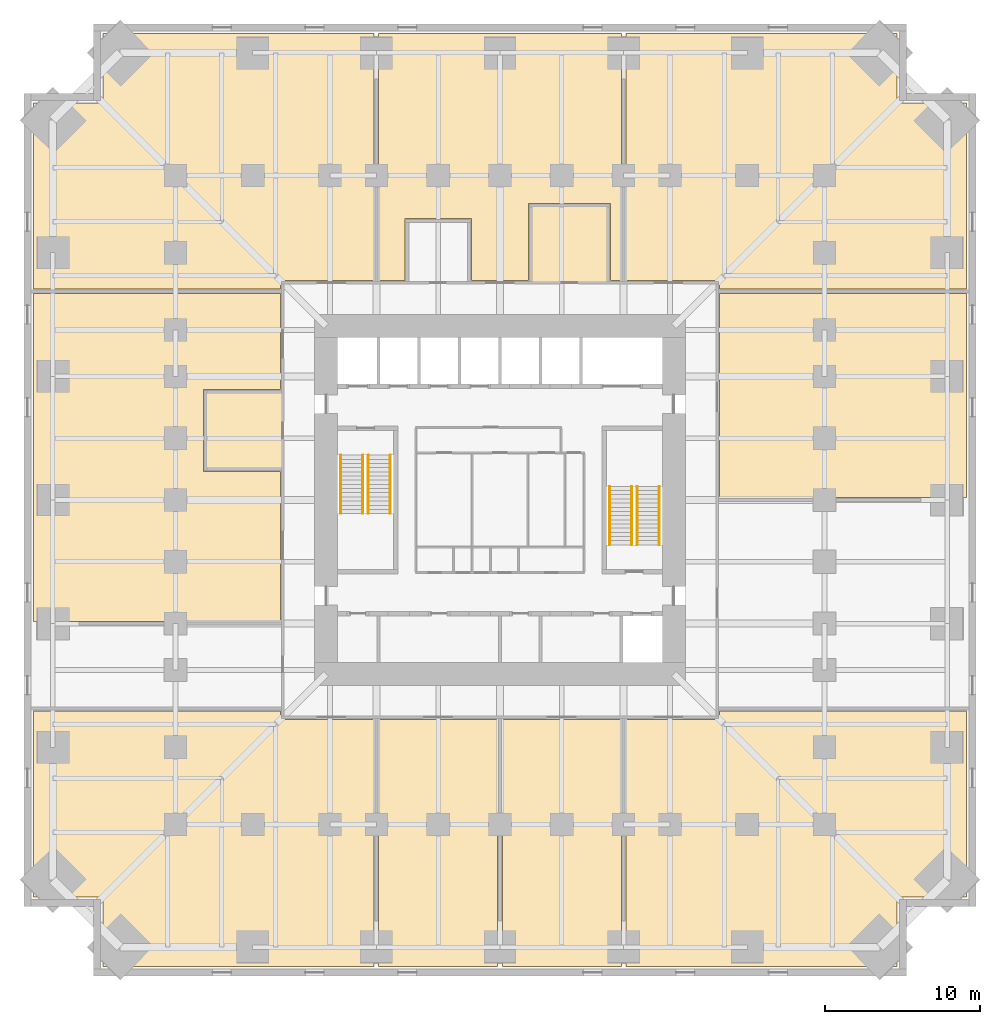
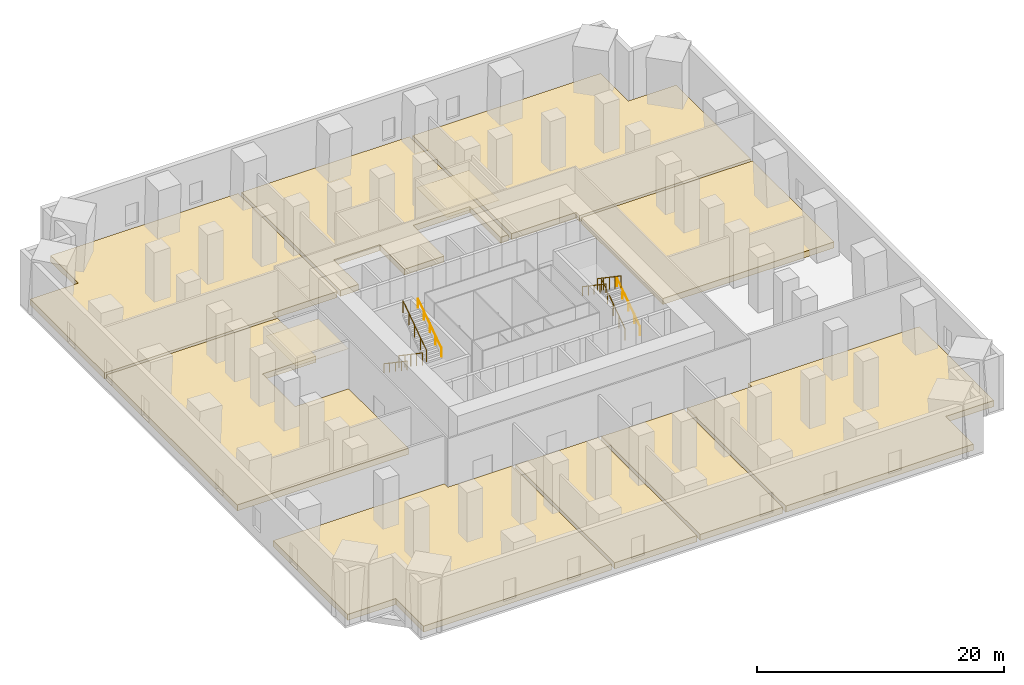
# One storey, part 8 of 8: 11 coverings, 8 railings.
"""IFC4 building model written with IfcOpenShell, lengths in metres."""

from ifc_helpers import new_model, si_unit, direction, frame, origin, origin_2d, place, context, subcontext, project, spatial, polyline, circle, outline, extrude, material, layer, layer_set, type_object, element, save


model = new_model("IFC4")

# Units and contexts
model_context = context("Model", 3, precision=1e-05, world=origin(), true_north=direction((0.0, 1.0)))
body_context = subcontext(model_context, "Body", "Model", "MODEL_VIEW")
ifc_project = project(units=[si_unit("LENGTHUNIT", "METRE"), si_unit("AREAUNIT", "SQUARE_METRE"), si_unit("VOLUMEUNIT", "CUBIC_METRE"), si_unit("PLANEANGLEUNIT", "RADIAN"), si_unit("MASSUNIT", "GRAM", prefix="KILO")], contexts=[model_context])

# Site, building, storey
site_placement = place(None, origin())
site = spatial("IfcSite", under=ifc_project, at=site_placement, CompositionType="ELEMENT")
building_placement = place(site_placement, origin())
building = spatial("IfcBuilding", under=site, at=building_placement, Name="Peilmerk Tower", CompositionType="ELEMENT")
storey_placement = place(building_placement, frame((0.0, 0.0, 48.5)))
storey = spatial("IfcBuildingStorey", under=building, at=storey_placement, Name="L09", CompositionType="ELEMENT", Elevation=48.5)

# Coverings
ifc_material_1 = material(Name="Mineral fibre ceiling tiles", Category="mineral")
ifc_layer_1 = layer(ifc_material_1, 0.02490234375)
ifc_layer_set_1 = layer_set([ifc_layer_1], Name="Mineral fibre ceiling tiles")
covering_type_1 = type_object("IfcCoveringType", Name="CL1 25 suspended ceiling", PredefinedType="CEILING", material=ifc_layer_set_1)
covering_1_placement = place(storey_placement, frame((0.0, 0.0, 4.375)))
element("IfcCovering", 1, at=covering_1_placement, inside=storey, type_object=covering_type_1, Name="Suspended ceiling Operations office", PredefinedType="CEILING", context=body_context, shape_type="SweptSolid", body=[
    extrude(outline(polyline([(6.949951171875, 14.10009765625), (6.949951171875, 19.0), (2.050048828125, 19.0), (2.050048828125, 14.10009765625), (6.949951171875, 14.10009765625)])), origin(), (0.0, 0.0, 1.0), 0.02490234375),
])
covering_2_placement = place(storey_placement, frame((0.0, 0.0, 4.375)))
element("IfcCovering", 2, at=covering_2_placement, inside=storey, type_object=covering_type_1, Name="Suspended ceiling Customer meeting room", PredefinedType="CEILING", context=body_context, shape_type="SweptSolid", body=[
    extrude(outline(polyline([(-14.10009765625, 2.050048828125), (-14.10009765625, 6.949951171875), (-19.0, 6.949951171875), (-19.0, 2.050048828125), (-14.10009765625, 2.050048828125)])), origin(), (0.0, 0.0, 1.0), 0.02490234375),
])

# Railings
ifc_material_2 = material(Name="Steel flat bar balustrade", Category="steel")
railing_type_1 = type_object("IfcRailingType", Name="GR1 1200 stair guard", PredefinedType="GUARDRAIL", material=ifc_material_2)
railing_1_placement = place(storey_placement, frame((-8.8798828125, 2.89990234375, 0.183349609375)))
element("IfcRailing", 3, at=railing_1_placement, inside=storey, type_object=railing_type_1, Name="Guard stair 1 L09", PredefinedType="GUARDRAIL", context=body_context, shape_type="SweptSolid", body=[
    extrude(circle(Radius=0.02392578125, at=origin_2d()), frame((0.0, 0.0, 1.17578125), z_axis=(0.0, -0.827293068839, 0.56177057439), x_axis=(1.0, 0.0, 0.0)), (0.0, 0.0, 1.0), 4.56884765625),
    extrude(circle(Radius=0.02099609375, at=origin_2d()), origin(), (0.0, 0.0, 1.0), 1.15185546875),
    extrude(circle(Radius=0.02099609375, at=origin_2d()), frame((0.0, -0.94482421875, 0.6416015625)), (0.0, 0.0, 1.0), 1.15185546875),
    extrude(circle(Radius=0.02099609375, at=origin_2d()), frame((0.0, -1.889892578125, 1.283203125)), (0.0, 0.0, 1.0), 1.15185546875),
    extrude(circle(Radius=0.02099609375, at=origin_2d()), frame((0.0, -2.8349609375, 1.925048828125)), (0.0, 0.0, 1.0), 1.15185546875),
    extrude(circle(Radius=0.02099609375, at=origin_2d()), frame((0.0, -3.77978515625, 2.566650390625)), (0.0, 0.0, 1.0), 1.15185546875),
])
for number, where, name in (
    (4, (-8.52001953125, -0.8798828125, 2.933349609375), "Guard stair 1 L09"),
    (5, (8.8798828125, -2.89990234375, 0.183349609375), "Guard stair 2 L09"),
):
    element("IfcRailing", number, at=place(storey_placement, frame(where)), inside=storey, type_object=railing_type_1, Name=name, PredefinedType="GUARDRAIL", context=body_context, shape_type="SweptSolid", body=[
        extrude(circle(Radius=0.02392578125, at=origin_2d()), frame((0.0, 0.0, 1.17578125), z_axis=(0.0, 0.827293068839, 0.56177057439), x_axis=(-1.0, 0.0, 0.0)), (0.0, 0.0, 1.0), 4.56884765625),
        extrude(circle(Radius=0.02099609375, at=origin_2d()), origin(), (0.0, 0.0, 1.0), 1.15185546875),
        extrude(circle(Radius=0.02099609375, at=origin_2d()), frame((0.0, 0.94482421875, 0.6416015625)), (0.0, 0.0, 1.0), 1.15185546875),
        extrude(circle(Radius=0.02099609375, at=origin_2d()), frame((0.0, 1.889892578125, 1.283203125)), (0.0, 0.0, 1.0), 1.15185546875),
        extrude(circle(Radius=0.02099609375, at=origin_2d()), frame((0.0, 2.8349609375, 1.925048828125)), (0.0, 0.0, 1.0), 1.15185546875),
        extrude(circle(Radius=0.02099609375, at=origin_2d()), frame((0.0, 3.77978515625, 2.566650390625)), (0.0, 0.0, 1.0), 1.15185546875),
    ])
railing_2_placement = place(storey_placement, frame((8.52001953125, 0.8798828125, 2.933349609375)))
element("IfcRailing", 6, at=railing_2_placement, inside=storey, type_object=railing_type_1, Name="Guard stair 2 L09", PredefinedType="GUARDRAIL", context=body_context, shape_type="SweptSolid", body=[
    extrude(circle(Radius=0.02392578125, at=origin_2d()), frame((0.0, 0.0, 1.17578125), z_axis=(0.0, -0.827293068839, 0.56177057439), x_axis=(1.0, 0.0, 0.0)), (0.0, 0.0, 1.0), 4.56884765625),
    extrude(circle(Radius=0.02099609375, at=origin_2d()), origin(), (0.0, 0.0, 1.0), 1.15185546875),
    extrude(circle(Radius=0.02099609375, at=origin_2d()), frame((0.0, -0.94482421875, 0.6416015625)), (0.0, 0.0, 1.0), 1.15185546875),
    extrude(circle(Radius=0.02099609375, at=origin_2d()), frame((0.0, -1.889892578125, 1.283203125)), (0.0, 0.0, 1.0), 1.15185546875),
    extrude(circle(Radius=0.02099609375, at=origin_2d()), frame((0.0, -2.8349609375, 1.925048828125)), (0.0, 0.0, 1.0), 1.15185546875),
    extrude(circle(Radius=0.02099609375, at=origin_2d()), frame((0.0, -3.77978515625, 2.566650390625)), (0.0, 0.0, 1.0), 1.15185546875),
])
ifc_material_3 = material(Name="Stainless steel tube", Category="steel")
railing_type_2 = type_object("IfcRailingType", Name="HR1 900 stair handrail", PredefinedType="HANDRAIL", material=ifc_material_3)
railing_3_placement = place(storey_placement, frame((-10.300048828125, 2.89990234375, 0.183349609375)))
element("IfcRailing", 7, at=railing_3_placement, inside=storey, type_object=railing_type_2, Name="Handrail stair 1 L09", PredefinedType="HANDRAIL", context=body_context, shape_type="SweptSolid", body=[
    extrude(circle(Radius=0.02392578125, at=origin_2d()), frame((0.0, 0.0, 0.8759765625), z_axis=(0.0, -0.827293068839, 0.56177057439), x_axis=(1.0, 0.0, 0.0)), (0.0, 0.0, 1.0), 4.56884765625),
    extrude(circle(Radius=0.02099609375, at=origin_2d()), origin(), (0.0, 0.0, 1.0), 0.851806640625),
    extrude(circle(Radius=0.02099609375, at=origin_2d()), frame((0.0, -0.94482421875, 0.6416015625)), (0.0, 0.0, 1.0), 0.851806640625),
    extrude(circle(Radius=0.02099609375, at=origin_2d()), frame((0.0, -1.889892578125, 1.283203125)), (0.0, 0.0, 1.0), 0.851806640625),
    extrude(circle(Radius=0.02099609375, at=origin_2d()), frame((0.0, -2.8349609375, 1.925048828125)), (0.0, 0.0, 1.0), 0.851806640625),
    extrude(circle(Radius=0.02099609375, at=origin_2d()), frame((0.0, -3.77978515625, 2.566650390625)), (0.0, 0.0, 1.0), 0.851806640625),
])
for number, where, name in (
    (8, (-7.10009765625, -0.8798828125, 2.933349609375), "Handrail stair 1 L09"),
    (9, (10.300048828125, -2.89990234375, 0.183349609375), "Handrail stair 2 L09"),
):
    element("IfcRailing", number, at=place(storey_placement, frame(where)), inside=storey, type_object=railing_type_2, Name=name, PredefinedType="HANDRAIL", context=body_context, shape_type="SweptSolid", body=[
        extrude(circle(Radius=0.02392578125, at=origin_2d()), frame((0.0, 0.0, 0.8759765625), z_axis=(0.0, 0.827293068839, 0.56177057439), x_axis=(-1.0, 0.0, 0.0)), (0.0, 0.0, 1.0), 4.56884765625),
        extrude(circle(Radius=0.02099609375, at=origin_2d()), origin(), (0.0, 0.0, 1.0), 0.851806640625),
        extrude(circle(Radius=0.02099609375, at=origin_2d()), frame((0.0, 0.94482421875, 0.6416015625)), (0.0, 0.0, 1.0), 0.851806640625),
        extrude(circle(Radius=0.02099609375, at=origin_2d()), frame((0.0, 1.889892578125, 1.283203125)), (0.0, 0.0, 1.0), 0.851806640625),
        extrude(circle(Radius=0.02099609375, at=origin_2d()), frame((0.0, 2.8349609375, 1.925048828125)), (0.0, 0.0, 1.0), 0.851806640625),
        extrude(circle(Radius=0.02099609375, at=origin_2d()), frame((0.0, 3.77978515625, 2.566650390625)), (0.0, 0.0, 1.0), 0.851806640625),
    ])
railing_4_placement = place(storey_placement, frame((7.10009765625, 0.8798828125, 2.933349609375)))
element("IfcRailing", 10, at=railing_4_placement, inside=storey, type_object=railing_type_2, Name="Handrail stair 2 L09", PredefinedType="HANDRAIL", context=body_context, shape_type="SweptSolid", body=[
    extrude(circle(Radius=0.02392578125, at=origin_2d()), frame((0.0, 0.0, 0.8759765625), z_axis=(0.0, -0.827293068839, 0.56177057439), x_axis=(1.0, 0.0, 0.0)), (0.0, 0.0, 1.0), 4.56884765625),
    extrude(circle(Radius=0.02099609375, at=origin_2d()), origin(), (0.0, 0.0, 1.0), 0.851806640625),
    extrude(circle(Radius=0.02099609375, at=origin_2d()), frame((0.0, -0.94482421875, 0.6416015625)), (0.0, 0.0, 1.0), 0.851806640625),
    extrude(circle(Radius=0.02099609375, at=origin_2d()), frame((0.0, -1.889892578125, 1.283203125)), (0.0, 0.0, 1.0), 0.851806640625),
    extrude(circle(Radius=0.02099609375, at=origin_2d()), frame((0.0, -2.8349609375, 1.925048828125)), (0.0, 0.0, 1.0), 0.851806640625),
    extrude(circle(Radius=0.02099609375, at=origin_2d()), frame((0.0, -3.77978515625, 2.566650390625)), (0.0, 0.0, 1.0), 0.851806640625),
])

# Coverings
ifc_material_4 = material(Name="Steel raised access floor panels on pedestals", Category="steel")
ifc_layer_2 = layer(ifc_material_4, 0.60009765625)
ifc_layer_set_2 = layer_set([ifc_layer_2], Name="Steel raised access floor panels on pedestals")
covering_type_2 = type_object("IfcCoveringType", Name="RF1 600 raised access floor", PredefinedType="FLOORING", material=ifc_layer_set_2)
covering_3_placement = place(storey_placement, origin())
element("IfcCovering", 11, at=covering_3_placement, inside=storey, type_object=covering_type_2, Name="Raised access floor Computer room A", PredefinedType="FLOORING", context=body_context, shape_type="SweptSolid", body=[
    extrude(outline(polyline([(-30.199951171875, 25.699951171875), (-30.199951171875, 13.64990234375), (-14.199951171875, 13.64990234375), (-14.199951171875, 14.199951171875), (-8.14990234375, 14.199951171875), (-8.14990234375, 30.199951171875), (-25.699951171875, 30.199951171875), (-25.699951171875, 25.699951171875), (-30.199951171875, 25.699951171875)])), origin(), (0.0, 0.0, 1.0), 0.60009765625),
])
covering_4_placement = place(storey_placement, origin())
element("IfcCovering", 12, at=covering_4_placement, inside=storey, type_object=covering_type_2, Name="Raised access floor Meet-me room A", PredefinedType="FLOORING", context=body_context, shape_type="SweptSolid", body=[
    extrude(outline(polyline([(7.85009765625, 14.199951171875), (7.85009765625, 30.199951171875), (-7.85009765625, 30.199951171875), (-7.85009765625, 14.199951171875), (-6.14990234375, 14.199951171875), (-6.14990234375, 18.199951171875), (-1.85009765625, 18.199951171875), (-1.85009765625, 14.199951171875), (1.85009765625, 14.199951171875), (1.85009765625, 19.199951171875), (7.14990234375, 19.199951171875), (7.14990234375, 14.199951171875), (7.85009765625, 14.199951171875)])), origin(), (0.0, 0.0, 1.0), 0.60009765625),
])
covering_5_placement = place(storey_placement, origin())
element("IfcCovering", 13, at=covering_5_placement, inside=storey, type_object=covering_type_2, Name="Raised access floor Computer room B", PredefinedType="FLOORING", context=body_context, shape_type="SweptSolid", body=[
    extrude(outline(polyline([(25.699951171875, 30.199951171875), (8.14990234375, 30.199951171875), (8.14990234375, 14.199951171875), (14.199951171875, 14.199951171875), (14.199951171875, 13.64990234375), (30.199951171875, 13.64990234375), (30.199951171875, 25.699951171875), (25.699951171875, 25.699951171875), (25.699951171875, 30.199951171875)])), origin(), (0.0, 0.0, 1.0), 0.60009765625),
])
covering_6_placement = place(storey_placement, origin())
element("IfcCovering", 14, at=covering_6_placement, inside=storey, type_object=covering_type_2, Name="Raised access floor Cross-connect room", PredefinedType="FLOORING", context=body_context, shape_type="SweptSolid", body=[
    extrude(outline(polyline([(-25.699951171875, -30.199951171875), (-8.14990234375, -30.199951171875), (-8.14990234375, -14.199951171875), (-14.199951171875, -14.199951171875), (-14.199951171875, -13.64990234375), (-30.199951171875, -13.64990234375), (-30.199951171875, -25.699951171875), (-25.699951171875, -25.699951171875), (-25.699951171875, -30.199951171875)])), origin(), (0.0, 0.0, 1.0), 0.60009765625),
])
covering_7_placement = place(storey_placement, origin())
element("IfcCovering", 15, at=covering_7_placement, inside=storey, type_object=covering_type_2, Name="Raised access floor Meet-me room B", PredefinedType="FLOORING", context=body_context, shape_type="SweptSolid", body=[
    extrude(outline(polyline([(-7.85009765625, -30.199951171875), (-0.14990234375, -30.199951171875), (-0.14990234375, -14.199951171875), (-7.85009765625, -14.199951171875), (-7.85009765625, -30.199951171875)])), origin(), (0.0, 0.0, 1.0), 0.60009765625),
])
covering_8_placement = place(storey_placement, origin())
element("IfcCovering", 16, at=covering_8_placement, inside=storey, type_object=covering_type_2, Name="Raised access floor Carrier room", PredefinedType="FLOORING", context=body_context, shape_type="SweptSolid", body=[
    extrude(outline(polyline([(0.14990234375, -30.199951171875), (7.85009765625, -30.199951171875), (7.85009765625, -14.199951171875), (0.14990234375, -14.199951171875), (0.14990234375, -30.199951171875)])), origin(), (0.0, 0.0, 1.0), 0.60009765625),
])
covering_9_placement = place(storey_placement, origin())
element("IfcCovering", 17, at=covering_9_placement, inside=storey, type_object=covering_type_2, Name="Raised access floor Network room", PredefinedType="FLOORING", context=body_context, shape_type="SweptSolid", body=[
    extrude(outline(polyline([(8.14990234375, -30.199951171875), (25.699951171875, -30.199951171875), (25.699951171875, -25.699951171875), (30.199951171875, -25.699951171875), (30.199951171875, -13.64990234375), (14.199951171875, -13.64990234375), (14.199951171875, -14.199951171875), (8.14990234375, -14.199951171875), (8.14990234375, -30.199951171875)])), origin(), (0.0, 0.0, 1.0), 0.60009765625),
])
covering_10_placement = place(storey_placement, origin())
element("IfcCovering", 18, at=covering_10_placement, inside=storey, type_object=covering_type_2, Name="Raised access floor UPS room", PredefinedType="FLOORING", context=body_context, shape_type="SweptSolid", body=[
    extrude(outline(polyline([(30.199951171875, 0.14990234375), (30.199951171875, 13.35009765625), (14.199951171875, 13.35009765625), (14.199951171875, 0.14990234375), (30.199951171875, 0.14990234375)])), origin(), (0.0, 0.0, 1.0), 0.60009765625),
])
covering_11_placement = place(storey_placement, origin())
element("IfcCovering", 19, at=covering_11_placement, inside=storey, type_object=covering_type_2, Name="Raised access floor Fibre distribution room", PredefinedType="FLOORING", context=body_context, shape_type="SweptSolid", body=[
    extrude(outline(polyline([(-14.199951171875, 13.35009765625), (-30.199951171875, 13.35009765625), (-30.199951171875, -7.85009765625), (-14.199951171875, -7.85009765625), (-14.199951171875, 1.85009765625), (-19.199951171875, 1.85009765625), (-19.199951171875, 7.14990234375), (-14.199951171875, 7.14990234375), (-14.199951171875, 13.35009765625)])), origin(), (0.0, 0.0, 1.0), 0.60009765625),
])

save(model, "model.ifc")
